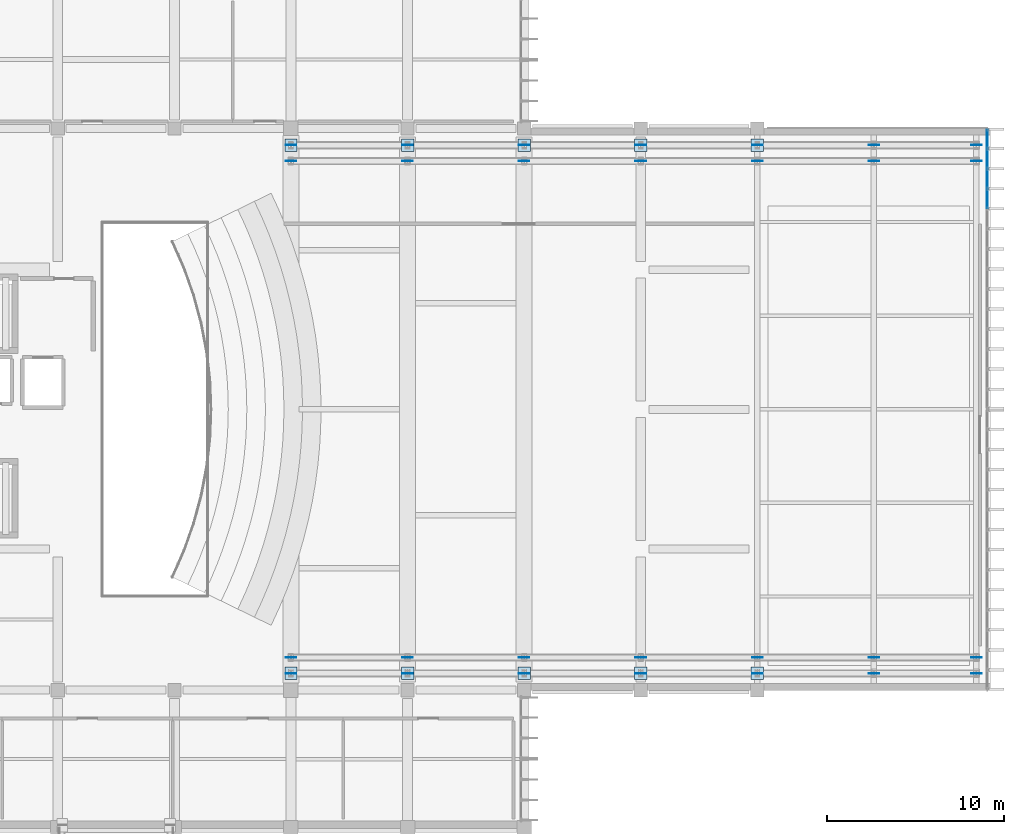
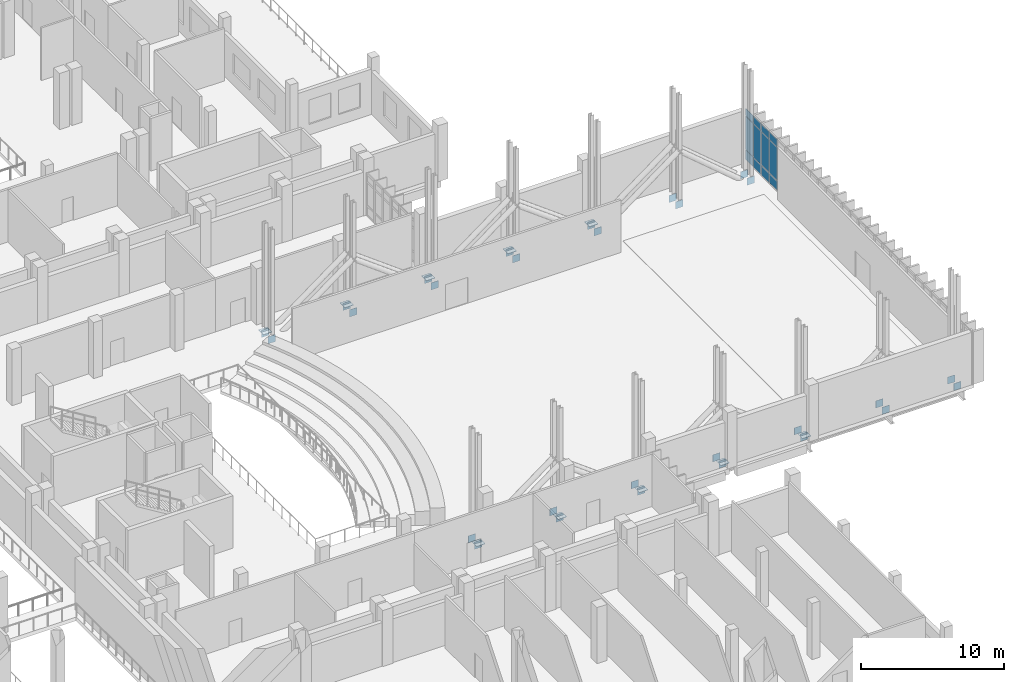
# One storey, part 47 of 73: 50 plates, 1 element without a shape of its own.
"""IFC4 building model written with IfcOpenShell, lengths in metres."""

from ifc_helpers import new_model, si_unit, direction, frame, origin, origin_2d, place, context, subcontext, project, spatial, rectangle, extrude, material, layer, layer_set, type_object, element, aggregate, save


model = new_model("IFC4")

# Units and contexts
model_context = context("Model", 3, precision=1e-05, world=origin(), true_north=direction((0.0, 1.0)))
body_context = subcontext(model_context, "Body", "Model", "MODEL_VIEW")
ifc_project = project(units=[si_unit("LENGTHUNIT", "METRE"), si_unit("AREAUNIT", "SQUARE_METRE"), si_unit("VOLUMEUNIT", "CUBIC_METRE"), si_unit("PLANEANGLEUNIT", "RADIAN"), si_unit("MASSUNIT", "GRAM", prefix="KILO")], contexts=[model_context])

# Site, building, storey
site_placement = place(None, origin())
site = spatial("IfcSite", under=ifc_project, at=site_placement, CompositionType="ELEMENT")
building_placement = place(site_placement, origin())
building = spatial("IfcBuilding", under=site, at=building_placement, Name="Kelarvand Opera House", CompositionType="ELEMENT")
storey_placement = place(building_placement, frame((0.0, 0.0, 10.199951171875)))
storey = spatial("IfcBuildingStorey", under=building, at=storey_placement, Name="L02", CompositionType="ELEMENT", Elevation=10.199951171875)

# Curtain wall, plates
ifc_material_1 = material(Name="Thermally broken aluminium and low-E glazing", Category="aluminium")
ifc_layer_1 = layer(ifc_material_1, 0.219970703125, Name="Thermally broken aluminium and low-E glazing", Category="aluminium")
ifc_layer_set_1 = layer_set([ifc_layer_1], Name="Thermally broken aluminium and low-E glazing")
curtain_wall_type = type_object("IfcCurtainWallType", Name="Unitised Low-E Curtain Wall 15886x4500 Mod 1150 CWF-06", PredefinedType="USERDEFINED", material=ifc_layer_set_1)
curtain_wall_placement = place(storey_placement, origin())
curtain_wall = element("IfcCurtainWall", 1, at=curtain_wall_placement, inside=storey, type_object=curtain_wall_type, Name="V1 L02 Curtain Wall CWF-06 (17)", ObjectType="UNITISED CURTAIN WALL", PredefinedType="USERDEFINED")
ifc_material_2 = material(Name="Acoustic triple-laminated low-E glazing", Category="glass")
ifc_layer_2 = layer(ifc_material_2, 0.0400390625, Name="Acoustic triple-laminated low-E glazing", Category="glass")
ifc_layer_set_2 = layer_set([ifc_layer_2], Name="Acoustic triple-laminated low-E glazing")
plate_type_1 = type_object("IfcPlateType", Name="Acoustic Laminated Plaza Curtain Panel 40mm", PredefinedType="CURTAIN_PANEL", material=ifc_layer_set_2)
plate_1_placement = place(storey_placement, frame((154.820068359375, 77.803955078125, 0.074951171875), z_axis=(0.0, 0.0, 1.0), x_axis=(0.0, -1.0, 0.0)))
plate_1 = element("IfcPlate", 2, at=plate_1_placement, type_object=plate_type_1, Name="CWF-06 panel 1.1", PredefinedType="CURTAIN_PANEL", context=body_context, shape_type="SweptSolid", body=[
    extrude(rectangle(XDim=1.022216796875, YDim=0.0400390625, at=origin_2d()), origin(), (0.0, 0.0, 1.0), 0.78759765625),
])
plate_2_placement = place(storey_placement, frame((154.820068359375, 77.803955078125, 0.9375), z_axis=(0.0, 0.0, 1.0), x_axis=(0.0, -1.0, 0.0)))
plate_2 = element("IfcPlate", 3, at=plate_2_placement, type_object=plate_type_1, Name="CWF-06 panel 1.2", PredefinedType="CURTAIN_PANEL", context=body_context, shape_type="SweptSolid", body=[
    extrude(rectangle(XDim=1.022216796875, YDim=0.0400390625, at=origin_2d()), origin(), (0.0, 0.0, 1.0), 2.824951171875),
])
plate_3_placement = place(storey_placement, frame((154.820068359375, 77.803955078125, 3.837646484375), z_axis=(0.0, 0.0, 1.0), x_axis=(0.0, -1.0, 0.0)))
plate_3 = element("IfcPlate", 4, at=plate_3_placement, type_object=plate_type_1, Name="CWF-06 panel 1.3", PredefinedType="CURTAIN_PANEL", context=body_context, shape_type="SweptSolid", body=[
    extrude(rectangle(XDim=1.022216796875, YDim=0.0400390625, at=origin_2d()), origin(), (0.0, 0.0, 1.0), 0.58740234375),
])
plate_4_placement = place(storey_placement, frame((154.820068359375, 76.68798828125, 0.074951171875), z_axis=(0.0, 0.0, 1.0), x_axis=(0.0, -1.0, 0.0)))
plate_4 = element("IfcPlate", 5, at=plate_4_placement, type_object=plate_type_1, Name="CWF-06 panel 2.1", PredefinedType="CURTAIN_PANEL", context=body_context, shape_type="SweptSolid", body=[
    extrude(rectangle(XDim=1.059814453125, YDim=0.0400390625, at=origin_2d()), origin(), (0.0, 0.0, 1.0), 0.78759765625),
])
plate_5_placement = place(storey_placement, frame((154.820068359375, 76.68798828125, 0.9375), z_axis=(0.0, 0.0, 1.0), x_axis=(0.0, -1.0, 0.0)))
plate_5 = element("IfcPlate", 6, at=plate_5_placement, type_object=plate_type_1, Name="CWF-06 panel 2.2", PredefinedType="CURTAIN_PANEL", context=body_context, shape_type="SweptSolid", body=[
    extrude(rectangle(XDim=1.059814453125, YDim=0.0400390625, at=origin_2d()), origin(), (0.0, 0.0, 1.0), 2.824951171875),
])
plate_6_placement = place(storey_placement, frame((154.820068359375, 76.68798828125, 3.837646484375), z_axis=(0.0, 0.0, 1.0), x_axis=(0.0, -1.0, 0.0)))
plate_6 = element("IfcPlate", 7, at=plate_6_placement, type_object=plate_type_1, Name="CWF-06 panel 2.3", PredefinedType="CURTAIN_PANEL", context=body_context, shape_type="SweptSolid", body=[
    extrude(rectangle(XDim=1.059814453125, YDim=0.0400390625, at=origin_2d()), origin(), (0.0, 0.0, 1.0), 0.58740234375),
])
plate_7_placement = place(storey_placement, frame((154.820068359375, 75.55322265625, 0.074951171875), z_axis=(0.0, 0.0, 1.0), x_axis=(0.0, -1.0, 0.0)))
plate_7 = element("IfcPlate", 8, at=plate_7_placement, type_object=plate_type_1, Name="CWF-06 panel 3.1", PredefinedType="CURTAIN_PANEL", context=body_context, shape_type="SweptSolid", body=[
    extrude(rectangle(XDim=1.059814453125, YDim=0.0400390625, at=origin_2d()), origin(), (0.0, 0.0, 1.0), 0.78759765625),
])
plate_8_placement = place(storey_placement, frame((154.820068359375, 75.55322265625, 0.9375), z_axis=(0.0, 0.0, 1.0), x_axis=(0.0, -1.0, 0.0)))
plate_8 = element("IfcPlate", 9, at=plate_8_placement, type_object=plate_type_1, Name="CWF-06 panel 3.2", PredefinedType="CURTAIN_PANEL", context=body_context, shape_type="SweptSolid", body=[
    extrude(rectangle(XDim=1.059814453125, YDim=0.0400390625, at=origin_2d()), origin(), (0.0, 0.0, 1.0), 2.824951171875),
])
plate_9_placement = place(storey_placement, frame((154.820068359375, 75.55322265625, 3.837646484375), z_axis=(0.0, 0.0, 1.0), x_axis=(0.0, -1.0, 0.0)))
plate_9 = element("IfcPlate", 10, at=plate_9_placement, type_object=plate_type_1, Name="CWF-06 panel 3.3", PredefinedType="CURTAIN_PANEL", context=body_context, shape_type="SweptSolid", body=[
    extrude(rectangle(XDim=1.059814453125, YDim=0.0400390625, at=origin_2d()), origin(), (0.0, 0.0, 1.0), 0.58740234375),
])
plate_10_placement = place(storey_placement, frame((154.820068359375, 74.41845703125, 0.074951171875), z_axis=(0.0, 0.0, 1.0), x_axis=(0.0, -1.0, 0.0)))
plate_10 = element("IfcPlate", 11, at=plate_10_placement, type_object=plate_type_1, Name="CWF-06 panel 4.1", PredefinedType="CURTAIN_PANEL", context=body_context, shape_type="SweptSolid", body=[
    extrude(rectangle(XDim=1.059814453125, YDim=0.0400390625, at=origin_2d()), origin(), (0.0, 0.0, 1.0), 0.78759765625),
])
plate_11_placement = place(storey_placement, frame((154.820068359375, 74.41845703125, 0.9375), z_axis=(0.0, 0.0, 1.0), x_axis=(0.0, -1.0, 0.0)))
plate_11 = element("IfcPlate", 12, at=plate_11_placement, type_object=plate_type_1, Name="CWF-06 panel 4.2", PredefinedType="CURTAIN_PANEL", context=body_context, shape_type="SweptSolid", body=[
    extrude(rectangle(XDim=1.059814453125, YDim=0.0400390625, at=origin_2d()), origin(), (0.0, 0.0, 1.0), 2.824951171875),
])
plate_12_placement = place(storey_placement, frame((154.820068359375, 74.41845703125, 3.837646484375), z_axis=(0.0, 0.0, 1.0), x_axis=(0.0, -1.0, 0.0)))
plate_12 = element("IfcPlate", 13, at=plate_12_placement, type_object=plate_type_1, Name="CWF-06 panel 4.3", PredefinedType="CURTAIN_PANEL", context=body_context, shape_type="SweptSolid", body=[
    extrude(rectangle(XDim=1.059814453125, YDim=0.0400390625, at=origin_2d()), origin(), (0.0, 0.0, 1.0), 0.58740234375),
])
aggregate(curtain_wall, [plate_1, plate_2, plate_3, plate_4, plate_5, plate_6, plate_7, plate_8, plate_9, plate_10, plate_11, plate_12])

# Plates
ifc_material_3 = material(Name="Steel S355", Category="steel")
ifc_layer_3 = layer(ifc_material_3, 0.035888671875, Name="Steel S355", Category="steel")
ifc_layer_set_3 = layer_set([ifc_layer_3], Name="Steel S355")
plate_type_2 = type_object("IfcPlateType", Name="Steel Truss Bearing Base Plate 36mm", PredefinedType="USERDEFINED", material=ifc_layer_set_3)
for number, where, z_axis, x_axis, name in (
    (14, (115.39990234375, 47.550048828125, -0.337890625), (0.0, 0.0, 1.0), (1.0, 0.0, 0.0), "Truss Column Bearing Plate 1"),
    (15, (122.0, 47.550048828125, -0.337890625), (0.0, 0.0, 1.0), (1.0, 0.0, 0.0), "Truss Column Bearing Plate 2"),
    (16, (128.60009765625, 47.550048828125, -0.337890625), (0.0, 0.0, 1.0), (1.0, 0.0, 0.0), "Truss Column Bearing Plate 3"),
    (17, (135.199951171875, 47.550048828125, -0.337890625), (0.0, 0.0, 1.0), (1.0, 0.0, 0.0), "Truss Column Bearing Plate 4"),
    (18, (141.800048828125, 47.550048828125, -0.337890625), (0.0, 0.0, 1.0), (1.0, 0.0, 0.0), "Truss Column Bearing Plate 5"),
    (19, (115.39990234375, 77.449951171875, -0.337890625), (0.0, 0.0, 1.0), (1.0, 0.0, 0.0), "Truss Column Bearing Plate 6"),
    (20, (122.0, 77.449951171875, -0.337890625), (0.0, 0.0, 1.0), (1.0, 0.0, 0.0), "Truss Column Bearing Plate 7"),
    (21, (128.60009765625, 77.449951171875, -0.337890625), (0.0, 0.0, 1.0), (1.0, 0.0, 0.0), "Truss Column Bearing Plate 8"),
    (22, (135.199951171875, 77.449951171875, -0.337890625), (0.0, 0.0, 1.0), (1.0, 0.0, 0.0), "Truss Column Bearing Plate 9"),
    (23, (141.800048828125, 77.449951171875, -0.337890625), (0.0, 0.0, 1.0), (1.0, 0.0, 0.0), "Truss Column Bearing Plate 10"),
):
    element("IfcPlate", number, at=place(storey_placement, frame(where, z_axis=z_axis, x_axis=x_axis)), inside=storey, type_object=plate_type_2, Name=name, ObjectType="BASE PLATE", PredefinedType="USERDEFINED", context=body_context, shape_type="SweptSolid", body=[
        extrude(rectangle(XDim=0.699951171875, YDim=0.699951171875, at=origin_2d()), origin(), (0.0, 0.0, 1.0), 0.035888671875),
    ])
ifc_layer_4 = layer(ifc_material_3, 0.02392578125, Name="Steel S355", Category="steel")
ifc_layer_set_4 = layer_set([ifc_layer_4], Name="Steel S355")
plate_type_3 = type_object("IfcPlateType", Name="Steel Truss Gusset Plate 24mm", PredefinedType="SHEET", material=ifc_layer_set_4)
for number, where, z_axis, x_axis, name in (
    (24, (115.39990234375, 47.550048828125, -0.77001953125), (0.0, 0.0, 1.0), (1.0, 0.0, 0.0), "Truss Node Gusset Plate 1"),
    (25, (122.0, 47.550048828125, -0.77001953125), (0.0, 0.0, 1.0), (1.0, 0.0, 0.0), "Truss Node Gusset Plate 2"),
    (26, (128.60009765625, 47.550048828125, -0.77001953125), (0.0, 0.0, 1.0), (1.0, 0.0, 0.0), "Truss Node Gusset Plate 3"),
    (27, (135.199951171875, 47.550048828125, -0.77001953125), (0.0, 0.0, 1.0), (1.0, 0.0, 0.0), "Truss Node Gusset Plate 4"),
    (28, (141.800048828125, 47.550048828125, -0.77001953125), (0.0, 0.0, 1.0), (1.0, 0.0, 0.0), "Truss Node Gusset Plate 5"),
    (29, (148.39990234375, 47.550048828125, -0.77001953125), (0.0, 0.0, 1.0), (1.0, 0.0, 0.0), "Truss Node Gusset Plate 6"),
    (30, (154.199951171875, 47.550048828125, -0.77001953125), (0.0, 0.0, 1.0), (1.0, 0.0, 0.0), "Truss Node Gusset Plate 7"),
    (31, (115.39990234375, 48.449951171875, -0.77001953125), (0.0, 0.0, 1.0), (1.0, 0.0, 0.0), "Truss Node Gusset Plate 8"),
    (32, (122.0, 48.449951171875, -0.77001953125), (0.0, 0.0, 1.0), (1.0, 0.0, 0.0), "Truss Node Gusset Plate 9"),
    (33, (128.60009765625, 48.449951171875, -0.77001953125), (0.0, 0.0, 1.0), (1.0, 0.0, 0.0), "Truss Node Gusset Plate 10"),
    (34, (135.199951171875, 48.449951171875, -0.77001953125), (0.0, 0.0, 1.0), (1.0, 0.0, 0.0), "Truss Node Gusset Plate 11"),
    (35, (141.800048828125, 48.449951171875, -0.77001953125), (0.0, 0.0, 1.0), (1.0, 0.0, 0.0), "Truss Node Gusset Plate 12"),
    (36, (148.39990234375, 48.449951171875, -0.77001953125), (0.0, 0.0, 1.0), (1.0, 0.0, 0.0), "Truss Node Gusset Plate 13"),
    (37, (154.199951171875, 48.449951171875, -0.77001953125), (0.0, 0.0, 1.0), (1.0, 0.0, 0.0), "Truss Node Gusset Plate 14"),
    (38, (115.39990234375, 76.550048828125, -0.77001953125), (0.0, 0.0, 1.0), (1.0, 0.0, 0.0), "Truss Node Gusset Plate 15"),
    (39, (122.0, 76.550048828125, -0.77001953125), (0.0, 0.0, 1.0), (1.0, 0.0, 0.0), "Truss Node Gusset Plate 16"),
    (40, (128.60009765625, 76.550048828125, -0.77001953125), (0.0, 0.0, 1.0), (1.0, 0.0, 0.0), "Truss Node Gusset Plate 17"),
    (41, (135.199951171875, 76.550048828125, -0.77001953125), (0.0, 0.0, 1.0), (1.0, 0.0, 0.0), "Truss Node Gusset Plate 18"),
    (42, (141.800048828125, 76.550048828125, -0.77001953125), (0.0, 0.0, 1.0), (1.0, 0.0, 0.0), "Truss Node Gusset Plate 19"),
    (43, (148.39990234375, 76.550048828125, -0.77001953125), (0.0, 0.0, 1.0), (1.0, 0.0, 0.0), "Truss Node Gusset Plate 20"),
    (44, (154.199951171875, 76.550048828125, -0.77001953125), (0.0, 0.0, 1.0), (1.0, 0.0, 0.0), "Truss Node Gusset Plate 21"),
    (45, (115.39990234375, 77.449951171875, -0.77001953125), (0.0, 0.0, 1.0), (1.0, 0.0, 0.0), "Truss Node Gusset Plate 22"),
    (46, (122.0, 77.449951171875, -0.77001953125), (0.0, 0.0, 1.0), (1.0, 0.0, 0.0), "Truss Node Gusset Plate 23"),
    (47, (128.60009765625, 77.449951171875, -0.77001953125), (0.0, 0.0, 1.0), (1.0, 0.0, 0.0), "Truss Node Gusset Plate 24"),
    (48, (135.199951171875, 77.449951171875, -0.77001953125), (0.0, 0.0, 1.0), (1.0, 0.0, 0.0), "Truss Node Gusset Plate 25"),
    (49, (141.800048828125, 77.449951171875, -0.77001953125), (0.0, 0.0, 1.0), (1.0, 0.0, 0.0), "Truss Node Gusset Plate 26"),
    (50, (148.39990234375, 77.449951171875, -0.77001953125), (0.0, 0.0, 1.0), (1.0, 0.0, 0.0), "Truss Node Gusset Plate 27"),
    (51, (154.199951171875, 77.449951171875, -0.77001953125), (0.0, 0.0, 1.0), (1.0, 0.0, 0.0), "Truss Node Gusset Plate 28"),
):
    element("IfcPlate", number, at=place(storey_placement, frame(where, z_axis=z_axis, x_axis=x_axis)), inside=storey, type_object=plate_type_3, Name=name, PredefinedType="SHEET", context=body_context, shape_type="SweptSolid", body=[
        extrude(rectangle(XDim=0.60009765625, YDim=0.02392578125, at=origin_2d()), origin(), (0.0, 0.0, 1.0), 0.60009765625),
    ])

save(model, "model.ifc")
